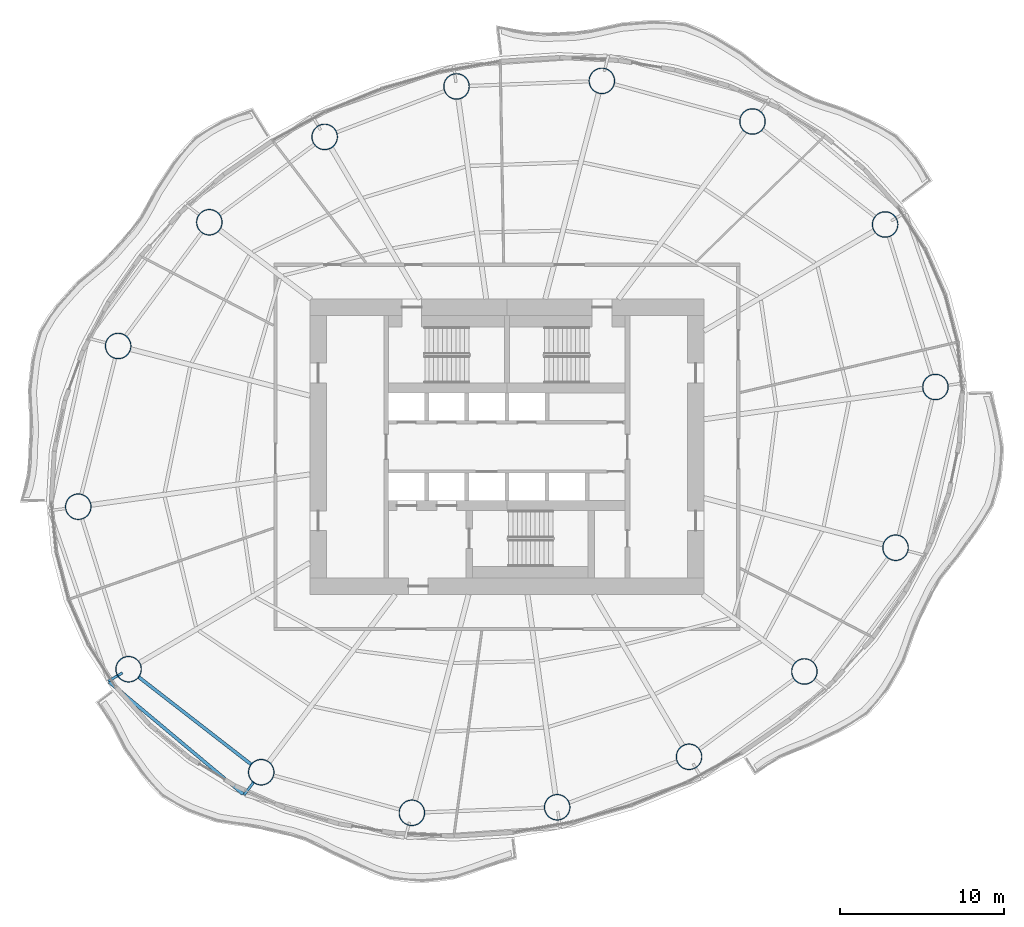
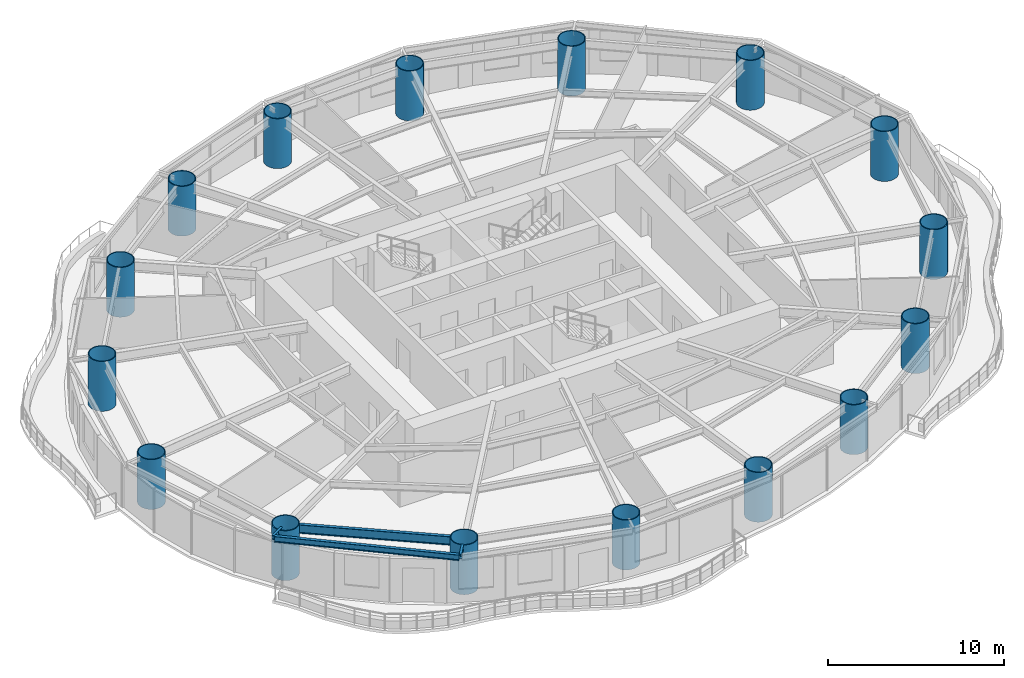
# One storey, part 1 of 16: 16 columns, 4 beams.
"""IFC4 building model written with IfcOpenShell, lengths in metres."""

from ifc_helpers import new_model, si_unit, direction, frame, origin, origin_2d, place, context, subcontext, project, spatial, hollow_circle, i_section, extrude, material, material_profile, profile_set, type_object, element, save


model = new_model("IFC4")

# Units and contexts
model_context = context("Model", 3, precision=1e-05, world=origin(), true_north=direction((0.0, 1.0)))
body_context = subcontext(model_context, "Body", "Model", "MODEL_VIEW")
ifc_project = project(units=[si_unit("LENGTHUNIT", "METRE"), si_unit("AREAUNIT", "SQUARE_METRE"), si_unit("VOLUMEUNIT", "CUBIC_METRE"), si_unit("PLANEANGLEUNIT", "RADIAN"), si_unit("MASSUNIT", "GRAM", prefix="KILO")], contexts=[model_context])

# Site, building, storey
site_placement = place(None, origin())
site = spatial("IfcSite", under=ifc_project, at=site_placement, CompositionType="ELEMENT")
building_placement = place(site_placement, origin())
building = spatial("IfcBuilding", under=site, at=building_placement, Name="Vermilion Reach Broadcast Tower", CompositionType="ELEMENT")
storey_placement = place(building_placement, frame((0.0, 0.0, 110.199951171875)))
storey = spatial("IfcBuildingStorey", under=building, at=storey_placement, Name="L25", CompositionType="ELEMENT", Elevation=110.199951171875)

# Columns
ifc_material_1 = material(Name="Concrete C80 infill in steel S460NL tube", Category="concrete")
ifc_material_profile_1 = material_profile(ifc_material_1, hollow_circle(Radius=0.800048828125, WallThickness=0.054931640625, at=origin_2d()), Name="Concrete C80 infill in steel S460NL tube CFT 1600x55")
ifc_profile_set_1 = profile_set([ifc_material_profile_1], Name="Concrete C80 infill in steel S460NL tube")
column_type = type_object("IfcColumnType", Name="MC2 CFT 1600x55", PredefinedType="COLUMN", material=ifc_profile_set_1)
for number, where, z_axis, x_axis, name in (
    (1, (17.04345703125, 13.546630859375, 0.0), (0.0, 0.0, 1.0), (1.0, 0.0, 0.0), "Mega-column MC2-01"),
    (2, (8.96337890625, 19.821044921875, 0.0), (0.0, 0.0, 1.0), (1.0, 0.0, 0.0), "Mega-column MC2-02"),
    (3, (-0.21337890625, 22.29443359375, 0.0), (0.0, 0.0, 1.0), (1.0, 0.0, 0.0), "Mega-column MC2-03"),
    (4, (-9.066162109375, 21.955810546875, 0.0), (0.0, 0.0, 1.0), (1.0, 0.0, 0.0), "Mega-column MC2-04"),
    (5, (-17.099609375, 18.881103515625, 0.0), (0.0, 0.0, 1.0), (1.0, 0.0, 0.0), "Mega-column MC2-05"),
    (6, (-24.12451171875, 13.6826171875, 0.0), (0.0, 0.0, 1.0), (1.0, 0.0, 0.0), "Mega-column MC2-06"),
    (7, (-29.6787109375, 6.145751953125, 0.0), (0.0, 0.0, 1.0), (1.0, 0.0, 0.0), "Mega-column MC2-07"),
    (8, (-32.10888671875, -3.646240234375, 0.0), (0.0, 0.0, 1.0), (1.0, 0.0, 0.0), "Mega-column MC2-08"),
    (9, (-29.04345703125, -13.546630859375, 0.0), (0.0, 0.0, 1.0), (1.0, 0.0, 0.0), "Mega-column MC2-09"),
    (10, (-20.96337890625, -19.821044921875, 0.0), (0.0, 0.0, 1.0), (1.0, 0.0, 0.0), "Mega-column MC2-10"),
    (11, (-11.78662109375, -22.29443359375, 0.0), (0.0, 0.0, 1.0), (1.0, 0.0, 0.0), "Mega-column MC2-11"),
    (12, (-2.933837890625, -21.955810546875, 0.0), (0.0, 0.0, 1.0), (1.0, 0.0, 0.0), "Mega-column MC2-12"),
    (13, (5.099609375, -18.881103515625, 0.0), (0.0, 0.0, 1.0), (1.0, 0.0, 0.0), "Mega-column MC2-13"),
    (14, (12.12451171875, -13.6826171875, 0.0), (0.0, 0.0, 1.0), (1.0, 0.0, 0.0), "Mega-column MC2-14"),
    (15, (17.6787109375, -6.145751953125, 0.0), (0.0, 0.0, 1.0), (1.0, 0.0, 0.0), "Mega-column MC2-15"),
    (16, (20.10888671875, 3.646240234375, 0.0), (0.0, 0.0, 1.0), (1.0, 0.0, 0.0), "Mega-column MC2-16"),
):
    element("IfcColumn", number, at=place(storey_placement, frame(where, z_axis=z_axis, x_axis=x_axis)), inside=storey, type_object=column_type, Name=name, PredefinedType="COLUMN", context=body_context, shape_type="SweptSolid", body=[
        extrude(hollow_circle(Radius=0.800048828125, WallThickness=0.054931640625, at=origin_2d()), origin(), (0.0, 0.0, 1.0), 3.449951171875),
    ])

# Beams
ifc_material_2 = material(Name="Steel S355J2", Category="steel")
ifc_material_profile_2 = material_profile(ifc_material_2, i_section(OverallWidth=0.199951171875, OverallDepth=0.39990234375, WebThickness=0.008056640625, FlangeThickness=0.012939453125, at=origin_2d()), Name="S355J2 HN 400x200x8x13")
ifc_profile_set_2 = profile_set([ifc_material_profile_2], Name="Steel S355J2")
beam_type_1 = type_object("IfcBeamType", Name="EB2 HN 400x200x8x13", PredefinedType="BEAM", material=ifc_profile_set_2)
beam_1_placement = place(storey_placement, frame((-30.22021484375, -14.325439453125, 3.25), z_axis=(0.766614215301, -0.642107969814, 0.0), x_axis=(0.642107969814, 0.766614215301, 0.0)))
element("IfcBeam", 17, at=beam_1_placement, inside=storey, type_object=beam_type_1, Name="Edge beam EB2-09", PredefinedType="BEAM", context=body_context, shape_type="SweptSolid", body=[
    extrude(i_section(OverallWidth=0.199951171875, OverallDepth=0.39990234375, WebThickness=0.008056640625, FlangeThickness=0.012939453125, at=origin_2d()), origin(), (0.0, 0.0, 1.0), 10.6376953125),
])
ifc_material_3 = material(Name="Steel S355J2", Category="steel")
ifc_material_profile_3 = material_profile(ifc_material_3, i_section(OverallWidth=0.14990234375, OverallDepth=0.300048828125, WebThickness=0.006591796875, FlangeThickness=0.009033203125, at=origin_2d()), Name="S355J2 HN 300x150x6.5x9")
ifc_profile_set_3 = profile_set([ifc_material_profile_3], Name="Steel S355J2")
beam_type_2 = type_object("IfcBeamType", Name="GS2 HN 300x150x6.5x9", PredefinedType="BEAM", material=ifc_profile_set_3)
beam_2_placement = place(storey_placement, frame((-29.419189453125, -13.767578125, 3.300048828125), z_axis=(-0.862153821816, -0.506646610102, 0.0), x_axis=(0.506646610102, -0.862153821816, 0.0)))
element("IfcBeam", 18, at=beam_2_placement, inside=storey, type_object=beam_type_2, Name="Cantilever stub GS2-09", PredefinedType="BEAM", context=body_context, shape_type="SweptSolid", body=[
    extrude(i_section(OverallWidth=0.14990234375, OverallDepth=0.300048828125, WebThickness=0.006591796875, FlangeThickness=0.009033203125, at=origin_2d()), origin(), (0.0, 0.0, 1.0), 1.0),
])
beam_3_placement = place(storey_placement, frame((-21.405029296875, -20.406005859375, 3.300048828125), z_axis=(-0.602418642628, -0.798180292299, 0.0), x_axis=(0.798180292299, -0.602418642628, 0.0)))
element("IfcBeam", 19, at=beam_3_placement, inside=storey, type_object=beam_type_2, Name="Cantilever stub GS2-10", PredefinedType="BEAM", context=body_context, shape_type="SweptSolid", body=[
    extrude(i_section(OverallWidth=0.14990234375, OverallDepth=0.300048828125, WebThickness=0.006591796875, FlangeThickness=0.009033203125, at=origin_2d()), origin(), (0.0, 0.0, 1.0), 1.000244140625),
])
ifc_material_4 = material(Name="Steel S355J2", Category="steel")
ifc_material_profile_4 = material_profile(ifc_material_4, i_section(OverallWidth=0.199951171875, OverallDepth=0.60009765625, WebThickness=0.010986328125, FlangeThickness=0.01708984375, at=origin_2d()), Name="S355J2 HN 600x200x11x17")
ifc_profile_set_4 = profile_set([ifc_material_profile_4], Name="Steel S355J2")
beam_type_3 = type_object("IfcBeamType", Name="RB2 HN 600x200x11x17", PredefinedType="BEAM", material=ifc_profile_set_4)
beam_4_placement = place(storey_placement, frame((-28.41162109375, -14.037109375, 3.150146484375), z_axis=(0.789825712432, -0.613331349257, 0.0), x_axis=(0.613331349257, 0.789825712432, 0.0)))
element("IfcBeam", 20, at=beam_4_placement, inside=storey, type_object=beam_type_3, Name="Ring beam RB2-09", PredefinedType="BEAM", context=body_context, shape_type="SweptSolid", body=[
    extrude(i_section(OverallWidth=0.199951171875, OverallDepth=0.60009765625, WebThickness=0.010986328125, FlangeThickness=0.01708984375, at=origin_2d()), origin(), (0.0, 0.0, 1.0), 8.63037109375),
])

save(model, "model.ifc")
